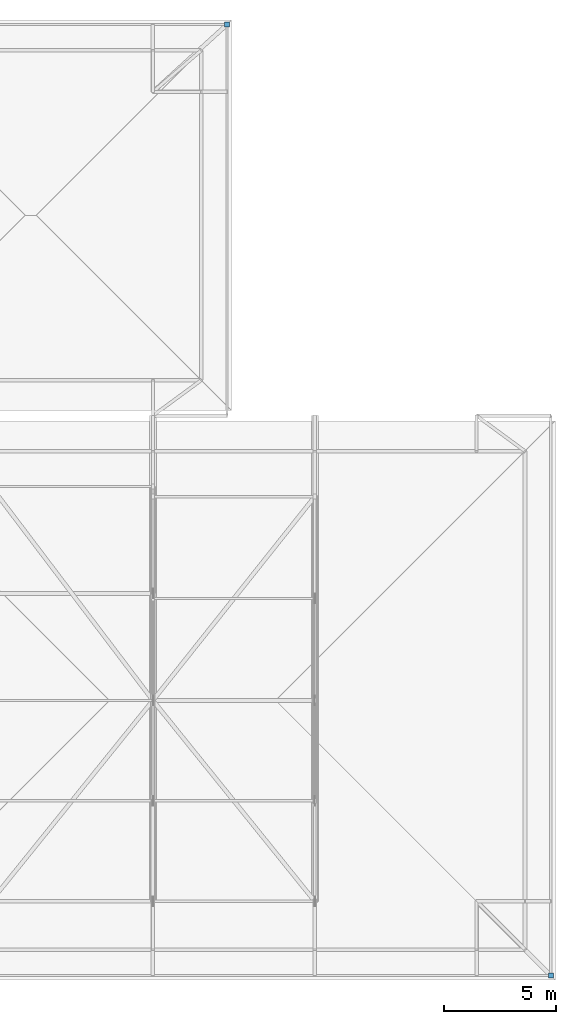
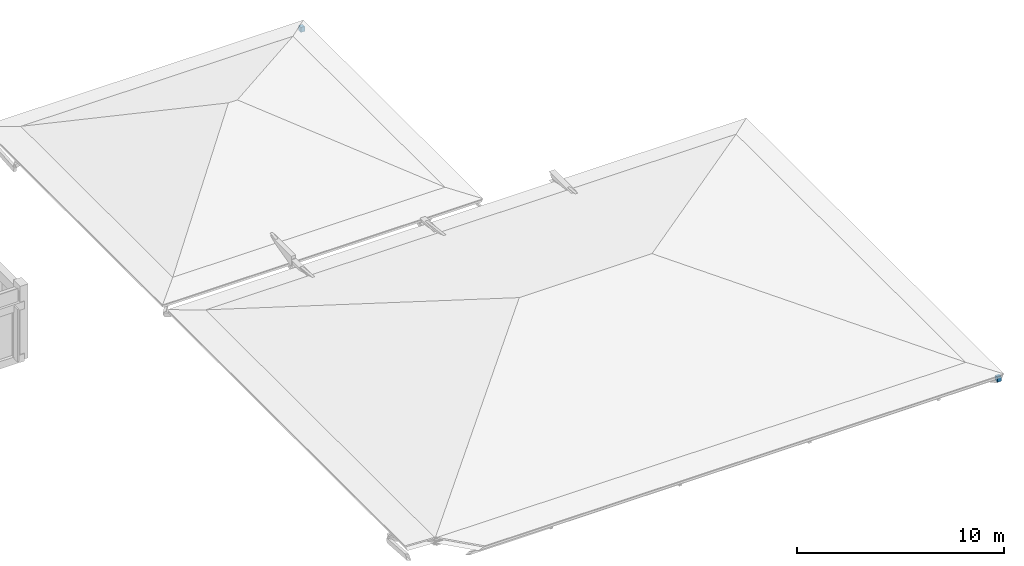
# One storey, part 18 of 19: 2 discrete accessories.
"""IFC4 building model written with IfcOpenShell, lengths in metres."""

from ifc_helpers import new_model, si_unit, direction, frame, origin, origin_2d, place, context, subcontext, project, spatial, rectangle, extrude, material, type_object, element, save


model = new_model("IFC4")

# Units and contexts
model_context = context("Model", 3, precision=1e-05, world=origin(), true_north=direction((0.0, 1.0)))
body_context = subcontext(model_context, "Body", "Model", "MODEL_VIEW")
ifc_project = project(units=[si_unit("LENGTHUNIT", "METRE"), si_unit("AREAUNIT", "SQUARE_METRE"), si_unit("VOLUMEUNIT", "CUBIC_METRE"), si_unit("PLANEANGLEUNIT", "RADIAN"), si_unit("MASSUNIT", "GRAM", prefix="KILO")], contexts=[model_context])

# Site, building, storey
site_placement = place(None, origin())
site = spatial("IfcSite", under=ifc_project, at=site_placement, CompositionType="ELEMENT")
building_placement = place(site_placement, origin())
building = spatial("IfcBuilding", under=site, at=building_placement, Name="Steenspoor Specialist Clinic", CompositionType="ELEMENT")
storey_placement = place(building_placement, frame((0.0, 0.0, 21.60009765625)))
storey = spatial("IfcBuildingStorey", under=building, at=storey_placement, Name="L05", CompositionType="ELEMENT", Elevation=21.60009765625)

# Discrete accessories
ifc_material = material(Name="Galvanised steel mounting bracket", Category="steel")
discrete_accessory_type = type_object("IfcDiscreteAccessoryType", Name="ACC-BRACKET-FIN", PredefinedType="BRACKET", material=ifc_material)
for number, where, z_axis, x_axis, name in (
    (1, (150.10009765625, 69.050048828125, -0.3984375), (0.0, 0.0, 1.0), (1.0, 0.0, 0.0), "Eave Corner Hip Bracket 370"),
    (2, (135.699951171875, 111.35009765625, -0.3984375), (0.0, 0.0, 1.0), (1.0, 0.0, 0.0), "Eave Corner Hip Bracket 387"),
):
    element("IfcDiscreteAccessory", number, at=place(storey_placement, frame(where, z_axis=z_axis, x_axis=x_axis)), inside=storey, type_object=discrete_accessory_type, Name=name, PredefinedType="BRACKET", context=body_context, shape_type="SweptSolid", body=[
        extrude(rectangle(XDim=0.219970703125, YDim=0.219970703125, at=origin_2d()), origin(), (0.0, 0.0, 1.0), 0.293212890625),
    ])

save(model, "model.ifc")
